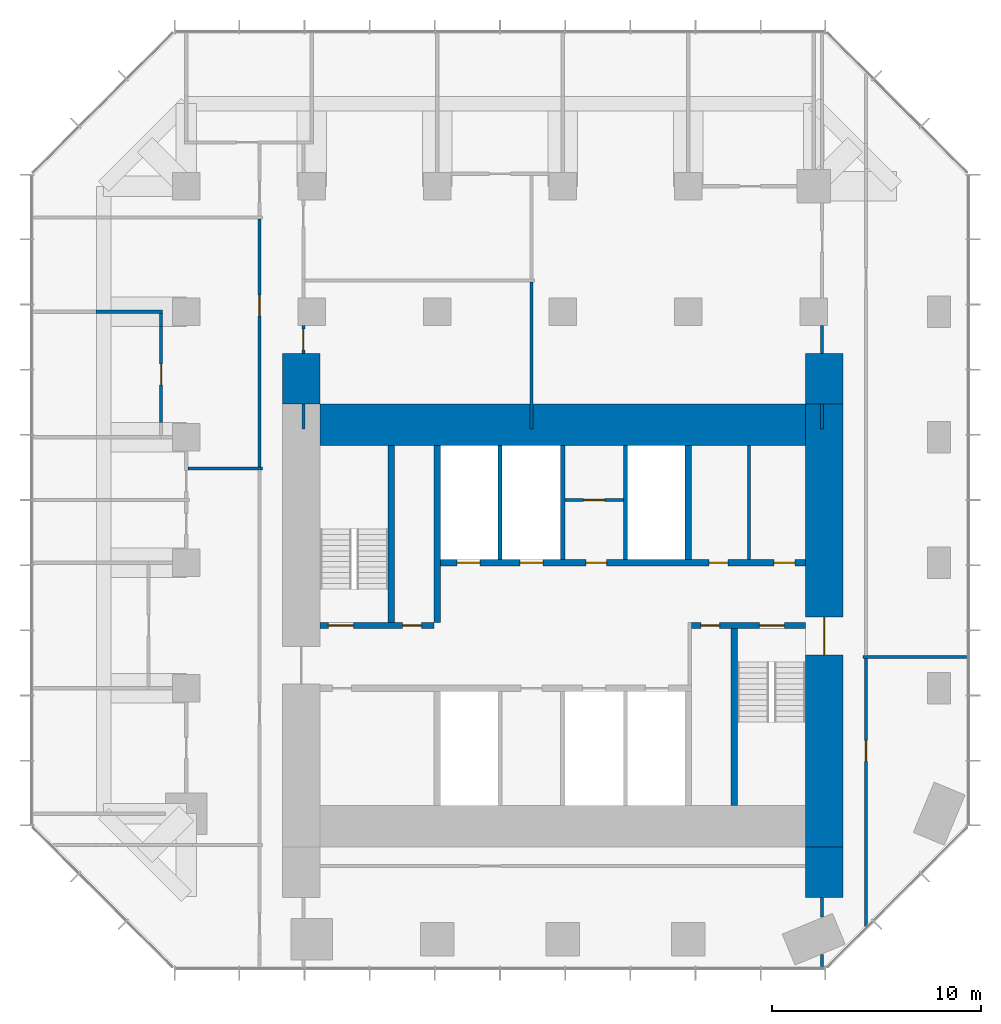
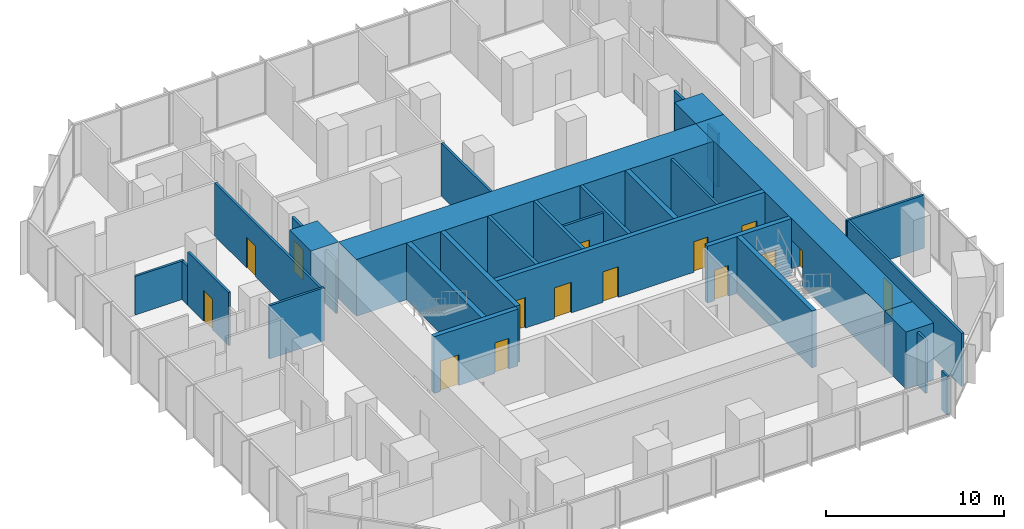
# One storey, part 9 of 11: 31 walls, 15 doors, 15 openings.
"""IFC4 building model written with IfcOpenShell, lengths in metres."""

import ifcopenshell
import ifcopenshell.guid

model = None  # the IFC model being written
_history = None  # IfcOwnerHistory: only IFC2X3 demands one
_inside = {}  # id of a spatial element -> (the spatial element, [elements in it])
_under = {}  # id of a project, library or spatial element -> (it, [spatial elements below it])
_declared = {}  # id of a project -> (the project, [libraries it declares])
_typed = {}  # id of a type object -> (the type object, [elements of that type])
_made_of = {}  # id of a material, layer set ... -> (it, [elements and type objects made of it])


def new_model(schema):
    """Start an empty IFC model of exactly this schema.

    Asked for "IFC4X3", IfcOpenShell would pick the latest addendum, in which some entities
    have other attributes; the version numbers below select the first issue.
    IFC2X3 requires an IfcOwnerHistory on every rooted entity: one is made here for all.
    """
    global model, _history
    if schema == "IFC4X3":
        model = ifcopenshell.file(schema_version=(4, 3, 0, 0))
    else:
        model = ifcopenshell.file(schema=schema)
    _inside.clear()
    _under.clear()
    _declared.clear()
    _typed.clear()
    _made_of.clear()
    _history = None
    if model.schema == "IFC2X3":
        org = make("IfcOrganization", Name="unknown")
        user = make(
            "IfcPersonAndOrganization",
            ThePerson=make("IfcPerson", FamilyName="unknown"),
            TheOrganization=org,
        )
        app = make(
            "IfcApplication",
            ApplicationDeveloper=org,
            Version="unknown",
            ApplicationFullName="unknown",
            ApplicationIdentifier="unknown",
        )
        _history = make(
            "IfcOwnerHistory",
            OwningUser=user,
            OwningApplication=app,
            ChangeAction="ADDED",
            CreationDate=0,
        )
    return model


def make(cls, **values):
    """One entity of the class cls with the attributes given. An attribute that is None is left unset."""
    return model.create_entity(
        cls, **{name: value for name, value in values.items() if value is not None}
    )


def rooted(cls, **values):
    """An entity with a GlobalId (a new one), such as an element, a storey or a relation."""
    return make(cls, GlobalId=ifcopenshell.guid.new(), OwnerHistory=_history, **values)


def si_unit(unit_type, name, prefix=None):
    """IfcSIUnit, for example si_unit("LENGTHUNIT", "METRE", prefix="MILLI")."""
    return make("IfcSIUnit", UnitType=unit_type, Prefix=prefix, Name=name)


def assignment(units):
    """IfcUnitAssignment: the units of a project."""
    return None if units is None else make("IfcUnitAssignment", Units=units)


def point(xyz):
    """IfcCartesianPoint."""
    return None if xyz is None else make("IfcCartesianPoint", Coordinates=xyz)


def direction(xyz):
    """IfcDirection."""
    return None if xyz is None else make("IfcDirection", DirectionRatios=xyz)


def frame(location, z_axis=None, x_axis=None):
    """IfcAxis2Placement3D, a coordinate frame: its origin and axes. An axis left out is left unset."""
    return make(
        "IfcAxis2Placement3D",
        Location=point(location),
        Axis=direction(z_axis),
        RefDirection=direction(x_axis),
    )


def frame_2d(location, x_axis=None):
    """IfcAxis2Placement2D, a coordinate frame in the plane: its origin and x axis."""
    return make(
        "IfcAxis2Placement2D", Location=point(location), RefDirection=direction(x_axis)
    )


def origin():
    """The frame at (0, 0, 0) with its axes left unset."""
    return frame((0.0, 0.0, 0.0))


def place(relative_to, where):
    """IfcLocalPlacement: puts the frame where relative to a parent placement (None: the world)."""
    return make(
        "IfcLocalPlacement", PlacementRelTo=relative_to, RelativePlacement=where
    )


def context(
    kind, dimensions, precision=None, world=None, true_north=None, identifier=None
):
    """IfcGeometricRepresentationContext, for example the 3D "Model" context."""
    return make(
        "IfcGeometricRepresentationContext",
        ContextIdentifier=identifier,
        ContextType=kind,
        CoordinateSpaceDimension=dimensions,
        Precision=precision,
        WorldCoordinateSystem=world,
        TrueNorth=true_north,
    )


def subcontext(parent, identifier, kind, view, scale=None):
    """IfcGeometricRepresentationSubContext, for example "Body" below "Model"."""
    return make(
        "IfcGeometricRepresentationSubContext",
        ContextIdentifier=identifier,
        ContextType=kind,
        ParentContext=parent,
        TargetScale=scale,
        TargetView=view,
    )


def project(units=None, contexts=None):
    """IfcProject with its units and contexts."""
    return rooted(
        "IfcProject",
        Name="project",
        RepresentationContexts=contexts,
        UnitsInContext=assignment(units),
    )


def spatial(cls, under=None, at=None, **own):
    """A site, building, storey or space (cls), placed at a placement, below another one or the project."""
    s = rooted(cls, ObjectPlacement=at, **own)
    if under is not None:
        _under.setdefault(under.id(), (under, []))[1].append(s)
    return s


def profile(cls, at=None, kind="AREA", **sizes):
    """A parametric profile (cls). Its sizes go by their IFC names, for example OverallWidth=200.0."""
    return make(cls, ProfileType=kind, Position=at, **sizes)


def rectangle(**sizes):
    """IfcRectangleProfileDef."""
    return profile("IfcRectangleProfileDef", **sizes)


def extrude(swept, where, along, depth):
    """IfcExtrudedAreaSolid: the profile swept, set in the frame where, extruded along a direction by depth."""
    return make(
        "IfcExtrudedAreaSolid",
        SweptArea=swept,
        Position=where,
        ExtrudedDirection=direction(along),
        Depth=depth,
    )


def shape(context_of_items, identifier, shape_type, items):
    """IfcShapeRepresentation: the items that make up one representation, for example the "Body"."""
    return make(
        "IfcShapeRepresentation",
        ContextOfItems=context_of_items,
        RepresentationIdentifier=identifier,
        RepresentationType=shape_type,
        Items=items,
    )


def material(Name=None, Category=None):
    """IfcMaterial."""
    return make("IfcMaterial", Name=Name, Category=Category)


def layer(
    of_material, thickness, ventilated=None, Name=None, Category=None, Priority=None
):
    """IfcMaterialLayer: one layer of a wall or slab, of a material (None: an air gap)."""
    return make(
        "IfcMaterialLayer",
        Material=of_material,
        LayerThickness=thickness,
        IsVentilated=ventilated,
        Name=Name,
        Category=Category,
        Priority=Priority,
    )


def layer_set(layers, Name=None):
    """IfcMaterialLayerSet."""
    return make("IfcMaterialLayerSet", MaterialLayers=layers, LayerSetName=Name)


def made_of(thing, what):
    """Note that an element or type object is made of a material, layer set ...; save() writes the relation."""
    if what is not None:
        _made_of.setdefault(what.id(), (what, []))[1].append(thing)
    return thing


def type_object(cls, material=None, **own):
    """A type object (cls), such as IfcWallType, which elements share."""
    return made_of(rooted(cls, **own), material)


def element(
    cls,
    number,
    at=None,
    inside=None,
    cuts=None,
    type_object=None,
    material=None,
    context=None,
    identifier="Body",
    shape_type=None,
    held_by="IfcProductDefinitionShape",
    body=None,
    shapes=None,
    **own,
):
    """One element of the class cls, such as IfcWall. Its Tag is "e" and its number.

    at: its placement. inside: the storey or other place that contains it. cuts: it is an
    opening in that element (IfcRelVoidsElement). A single representation is given by context,
    identifier, shape_type and body (its items); several are given by shapes. held_by: the class
    of the entity that holds the representations. save() writes the other relations.
    """
    e = rooted(cls, Tag="e%d" % number, ObjectPlacement=at, **own)
    if body is not None:
        shapes = [shape(context, identifier, shape_type, body)]
    if shapes is not None:
        e.Representation = make(held_by, Representations=shapes)
    if inside is not None:
        _inside.setdefault(inside.id(), (inside, []))[1].append(e)
    if cuts is not None:
        rooted(
            "IfcRelVoidsElement", RelatingBuildingElement=cuts, RelatedOpeningElement=e
        )
    if type_object is not None:
        _typed.setdefault(type_object.id(), (type_object, []))[1].append(e)
    return made_of(e, material)


def fill(opening, filler):
    """IfcRelFillsElement: the door or window that sits in an opening."""
    return rooted(
        "IfcRelFillsElement",
        RelatingOpeningElement=opening,
        RelatedBuildingElement=filler,
    )


def aggregate(whole, parts):
    """IfcRelAggregates: a whole, such as a stair, and the parts it consists of."""
    return rooted("IfcRelAggregates", RelatingObject=whole, RelatedObjects=parts)


def save(model, path):
    """Write the relations noted so far, then the file.

    IfcRelAggregates (storeys below a building ...), IfcRelContainedInSpatialStructure (elements
    in a storey), IfcRelDefinesByType, IfcRelAssociatesMaterial and IfcRelDeclares: one each for
    every whole, place, type object, material and project.
    """
    for whole, parts in _under.values():
        aggregate(whole, parts)
    for where, things in _inside.values():
        rooted(
            "IfcRelContainedInSpatialStructure",
            RelatedElements=things,
            RelatingStructure=where,
        )
    for kind, things in _typed.values():
        rooted("IfcRelDefinesByType", RelatedObjects=things, RelatingType=kind)
    for what, things in _made_of.values():
        rooted("IfcRelAssociatesMaterial", RelatedObjects=things, RelatingMaterial=what)
    for by, libraries in _declared.values():
        rooted("IfcRelDeclares", RelatingContext=by, RelatedDefinitions=libraries)
    model.write(path)


model = new_model("IFC4")

# Units and contexts
model_context = context("Model", 3, precision=1e-05, world=origin(), true_north=direction((0.0, 1.0)))
body_context = subcontext(model_context, "Body", "Model", "MODEL_VIEW")
ifc_project = project(units=[si_unit("LENGTHUNIT", "METRE"), si_unit("AREAUNIT", "SQUARE_METRE"), si_unit("VOLUMEUNIT", "CUBIC_METRE"), si_unit("PLANEANGLEUNIT", "RADIAN"), si_unit("MASSUNIT", "GRAM", prefix="KILO")], contexts=[model_context])

# Site, building, storey
site_placement = place(None, origin())
site = spatial("IfcSite", under=ifc_project, at=site_placement, CompositionType="ELEMENT")
building_placement = place(site_placement, origin())
building = spatial("IfcBuilding", under=site, at=building_placement, Name="Highveld Stack Headquarters", CompositionType="ELEMENT")
storey_placement = place(building_placement, frame((0.0, 0.0, 208.39990234375)))
storey = spatial("IfcBuildingStorey", under=building, at=storey_placement, Name="L51", CompositionType="ELEMENT", Elevation=208.39990234375)

# Wall, opening, door
ifc_material_1 = material(Name="Concrete C60/75", Category="concrete")
ifc_layer_1 = layer(ifc_material_1, 1.800048828125)
ifc_layer_set_1 = layer_set([ifc_layer_1], Name="Concrete C60/75")
wall_type_1 = type_object("IfcWallType", Name="CORE WALL 1800 C60/75", PredefinedType="SHEAR", material=ifc_layer_set_1)
wall_1_placement = place(storey_placement, frame((18.5, -7.60009765625, 0.0), z_axis=(0.0, 0.0, 1.0), x_axis=(0.0, 1.0, 0.0)))
wall_1 = element("IfcWall", 1, at=wall_1_placement, inside=storey, type_object=wall_type_1, Name="Core wall E L51", PredefinedType="SHEAR", context=body_context, shape_type="SweptSolid", body=[
    extrude(rectangle(XDim=21.2001953125, YDim=1.800048828125, at=frame_2d((10.60009765625, 0.0))), origin(), (0.0, 0.0, 1.0), 3.900146484375),
])
opening_1_placement = place(wall_1_placement, frame((9.199951171875, 0.0, 0.0)))
opening_1 = element("IfcOpeningElement", 2, at=opening_1_placement, cuts=wall_1, Name="Opening L51-02", PredefinedType="OPENING", context=body_context, shape_type="SweptSolid", body=[
    extrude(rectangle(XDim=1.800048828125, YDim=2.39990234375, at=frame_2d((0.89990234375, 1.199951171875))), frame((0.0, 0.909912109375, 0.0), z_axis=(0.0, -1.0, 0.0), x_axis=(1.0, 0.0, 0.0)), (0.0, 0.0, 1.0), 1.820068359375),
])
ifc_material_2 = material(Name="Steel fire door", Category="steel")
door_type_1 = type_object("IfcDoorType", Name="LOBBY FIRE DOOR D4 1800x2400", OperationType="DOUBLE_DOOR_SINGLE_SWING", PredefinedType="DOOR", material=ifc_material_2)
door_1_placement = place(opening_1_placement, origin())
door_1 = element("IfcDoor", 3, at=door_1_placement, inside=storey, type_object=door_type_1, Name="Core east door L51", OperationType="DOUBLE_DOOR_SINGLE_SWING", OverallHeight=2.39990234375, OverallWidth=1.800048828125, PredefinedType="DOOR", context=body_context, shape_type="SweptSolid", body=[
    extrude(rectangle(XDim=1.800048828125, YDim=2.39990234375, at=frame_2d((0.89990234375, 1.199951171875))), frame((0.0, 0.02490234375, 0.0), z_axis=(0.0, -1.0, 0.0), x_axis=(1.0, 0.0, 0.0)), (0.0, 0.0, 1.0), 0.050048828125),
])
fill(opening_1, door_1)

# Wall
ifc_material_3 = material(Name="Concrete C60/75", Category="concrete")
ifc_layer_2 = layer(ifc_material_3, 2.0)
ifc_layer_set_2 = layer_set([ifc_layer_2], Name="Concrete C60/75")
wall_type_2 = type_object("IfcWallType", Name="CORE WALL 2000 C60/75", PredefinedType="SHEAR", material=ifc_layer_set_2)
wall_2_placement = place(storey_placement, frame((-5.60009765625, 12.60009765625, 0.0), z_axis=(0.0, 0.0, 1.0), x_axis=(1.0, 0.0, 0.0)))
element("IfcWall", 4, at=wall_2_placement, inside=storey, type_object=wall_type_2, Name="Core wall N L51", PredefinedType="SHEAR", context=body_context, shape_type="SweptSolid", body=[
    extrude(rectangle(XDim=23.2001953125, YDim=2.0, at=frame_2d((11.60009765625, 0.0))), origin(), (0.0, 0.0, 1.0), 3.900146484375),
])

# Wall, openings, doors
ifc_material_4 = material(Name="Concrete C60/75", Category="concrete")
ifc_layer_3 = layer(ifc_material_4, 0.300048828125)
ifc_layer_set_3 = layer_set([ifc_layer_3], Name="Concrete C60/75")
wall_type_3 = type_object("IfcWallType", Name="CORE WALL 300 C60/75", PredefinedType="SHEAR", material=ifc_layer_set_3)
wall_3_placement = place(storey_placement, frame((-5.60009765625, 3.0, 0.0), z_axis=(0.0, 0.0, 1.0), x_axis=(1.0, 0.0, 0.0)))
wall_3 = element("IfcWall", 5, at=wall_3_placement, inside=storey, type_object=wall_type_3, Name="Core wall I-Y3W L51", PredefinedType="SHEAR", context=body_context, shape_type="SweptSolid", body=[
    extrude(rectangle(XDim=5.4501953125, YDim=0.300048828125, at=frame_2d((2.72509765625, 0.0))), origin(), (0.0, 0.0, 1.0), 3.900146484375),
])
opening_2_placement = place(wall_3_placement, frame((0.39990234375, 0.0, 0.0)))
opening_2 = element("IfcOpeningElement", 6, at=opening_2_placement, cuts=wall_3, Name="Opening L51-03", PredefinedType="OPENING", context=body_context, shape_type="SweptSolid", body=[
    extrude(rectangle(XDim=1.199951171875, YDim=2.10009765625, at=frame_2d((0.60009765625, 1.050048828125))), frame((0.0, 0.159912109375, 0.0), z_axis=(0.0, -1.0, 0.0), x_axis=(1.0, 0.0, 0.0)), (0.0, 0.0, 1.0), 0.320068359375),
])
opening_3_placement = place(wall_3_placement, frame((3.949951171875, 0.0, 0.0)))
opening_3 = element("IfcOpeningElement", 7, at=opening_3_placement, cuts=wall_3, Name="Opening L51-04", PredefinedType="OPENING", context=body_context, shape_type="SweptSolid", body=[
    extrude(rectangle(XDim=0.89990234375, YDim=2.10009765625, at=frame_2d((0.449951171875, 1.050048828125))), frame((0.0, 0.159912109375, 0.0), z_axis=(0.0, -1.0, 0.0), x_axis=(1.0, 0.0, 0.0)), (0.0, 0.0, 1.0), 0.320068359375),
])
ifc_material_5 = material(Name="Steel fire door", Category="steel")
door_type_2 = type_object("IfcDoorType", Name="RISER ACCESS DOOR D5 900x2100", OperationType="SINGLE_SWING_LEFT", PredefinedType="DOOR", material=ifc_material_5)
door_2_placement = place(opening_3_placement, origin())
door_2 = element("IfcDoor", 8, at=door_2_placement, inside=storey, type_object=door_type_2, Name="Riser R1 door L51", OperationType="SINGLE_SWING_RIGHT", OverallHeight=2.10009765625, OverallWidth=0.89990234375, PredefinedType="DOOR", context=body_context, shape_type="SweptSolid", body=[
    extrude(rectangle(XDim=0.89990234375, YDim=2.10009765625, at=frame_2d((0.449951171875, 1.050048828125))), frame((0.0, 0.02490234375, 0.0), z_axis=(0.0, -1.0, 0.0), x_axis=(1.0, 0.0, 0.0)), (0.0, 0.0, 1.0), 0.050048828125),
])
fill(opening_3, door_2)
ifc_material_6 = material(Name="Steel fire door", Category="steel")
door_type_3 = type_object("IfcDoorType", Name="STAIR FIRE DOOR D3 1200x2100", OperationType="SINGLE_SWING_LEFT", PredefinedType="DOOR", material=ifc_material_6)
door_3_placement = place(opening_2_placement, origin())
door_3 = element("IfcDoor", 9, at=door_3_placement, inside=storey, type_object=door_type_3, Name="Stair S1 door L51", OperationType="SINGLE_SWING_LEFT", OverallHeight=2.10009765625, OverallWidth=1.199951171875, PredefinedType="DOOR", context=body_context, shape_type="SweptSolid", body=[
    extrude(rectangle(XDim=1.199951171875, YDim=2.10009765625, at=frame_2d((0.60009765625, 1.050048828125))), frame((0.0, 0.02490234375, 0.0), z_axis=(0.0, -1.0, 0.0), x_axis=(1.0, 0.0, 0.0)), (0.0, 0.0, 1.0), 0.050048828125),
])
fill(opening_2, door_3)

wall_4_placement = place(storey_placement, frame((12.14990234375, 3.0, 0.0), z_axis=(0.0, 0.0, 1.0), x_axis=(1.0, 0.0, 0.0)))
wall_4 = element("IfcWall", 10, at=wall_4_placement, inside=storey, type_object=wall_type_3, Name="Core wall I-Y3E L51", PredefinedType="SHEAR", context=body_context, shape_type="SweptSolid", body=[
    extrude(rectangle(XDim=5.4501953125, YDim=0.300048828125, at=frame_2d((2.72509765625, 0.0))), origin(), (0.0, 0.0, 1.0), 3.900146484375),
])
opening_4_placement = place(wall_4_placement, frame((3.25, 0.0, 0.0)))
opening_4 = element("IfcOpeningElement", 11, at=opening_4_placement, cuts=wall_4, Name="Opening L51-05", PredefinedType="OPENING", context=body_context, shape_type="SweptSolid", body=[
    extrude(rectangle(XDim=1.199951171875, YDim=2.10009765625, at=frame_2d((0.60009765625, 1.050048828125))), frame((0.0, 0.159912109375, 0.0), z_axis=(0.0, -1.0, 0.0), x_axis=(1.0, 0.0, 0.0)), (0.0, 0.0, 1.0), 0.320068359375),
])
opening_5_placement = place(wall_4_placement, frame((0.449951171875, 0.0, 0.0)))
opening_5 = element("IfcOpeningElement", 12, at=opening_5_placement, cuts=wall_4, Name="Opening L51-06", PredefinedType="OPENING", context=body_context, shape_type="SweptSolid", body=[
    extrude(rectangle(XDim=0.89990234375, YDim=2.10009765625, at=frame_2d((0.449951171875, 1.050048828125))), frame((0.0, 0.159912109375, 0.0), z_axis=(0.0, -1.0, 0.0), x_axis=(1.0, 0.0, 0.0)), (0.0, 0.0, 1.0), 0.320068359375),
])
door_4_placement = place(opening_5_placement, origin())
door_4 = element("IfcDoor", 13, at=door_4_placement, inside=storey, type_object=door_type_2, Name="Riser R2 door L51", OperationType="SINGLE_SWING_LEFT", OverallHeight=2.10009765625, OverallWidth=0.89990234375, PredefinedType="DOOR", context=body_context, shape_type="SweptSolid", body=[
    extrude(rectangle(XDim=0.89990234375, YDim=2.10009765625, at=frame_2d((0.449951171875, 1.050048828125))), frame((0.0, 0.02490234375, 0.0), z_axis=(0.0, -1.0, 0.0), x_axis=(1.0, 0.0, 0.0)), (0.0, 0.0, 1.0), 0.050048828125),
])
fill(opening_5, door_4)
door_5_placement = place(opening_4_placement, origin())
door_5 = element("IfcDoor", 14, at=door_5_placement, inside=storey, type_object=door_type_3, Name="Stair S2 door L51", OperationType="SINGLE_SWING_RIGHT", OverallHeight=2.10009765625, OverallWidth=1.199951171875, PredefinedType="DOOR", context=body_context, shape_type="SweptSolid", body=[
    extrude(rectangle(XDim=1.199951171875, YDim=2.10009765625, at=frame_2d((0.60009765625, 1.050048828125))), frame((0.0, 0.02490234375, 0.0), z_axis=(0.0, -1.0, 0.0), x_axis=(1.0, 0.0, 0.0)), (0.0, 0.0, 1.0), 0.050048828125),
])
fill(opening_4, door_5)

wall_5_placement = place(storey_placement, frame((-0.14990234375, 6.0, 0.0), z_axis=(0.0, 0.0, 1.0), x_axis=(1.0, 0.0, 0.0)))
wall_5 = element("IfcWall", 15, at=wall_5_placement, inside=storey, type_object=wall_type_3, Name="Core wall I-Y6 L51", PredefinedType="SHEAR", context=body_context, shape_type="SweptSolid", body=[
    extrude(rectangle(XDim=17.75, YDim=0.300048828125, at=frame_2d((8.875, 0.0))), origin(), (0.0, 0.0, 1.0), 3.900146484375),
])
opening_6_placement = place(wall_5_placement, frame((13.14990234375, 0.0, 0.0)))
opening_6 = element("IfcOpeningElement", 16, at=opening_6_placement, cuts=wall_5, Name="Opening L51-08", PredefinedType="OPENING", context=body_context, shape_type="SweptSolid", body=[
    extrude(rectangle(XDim=0.89990234375, YDim=2.10009765625, at=frame_2d((0.449951171875, 1.050048828125))), frame((0.0, 0.159912109375, 0.0), z_axis=(0.0, -1.0, 0.0), x_axis=(1.0, 0.0, 0.0)), (0.0, 0.0, 1.0), 0.320068359375),
])
opening_7_placement = place(wall_5_placement, frame((16.25, 0.0, 0.0)))
opening_7 = element("IfcOpeningElement", 17, at=opening_7_placement, cuts=wall_5, Name="Opening L51-09", PredefinedType="OPENING", context=body_context, shape_type="SweptSolid", body=[
    extrude(rectangle(XDim=1.0, YDim=2.10009765625, at=frame_2d((0.5, 1.050048828125))), frame((0.0, 0.159912109375, 0.0), z_axis=(0.0, -1.0, 0.0), x_axis=(1.0, 0.0, 0.0)), (0.0, 0.0, 1.0), 0.320068359375),
])
opening_8_placement = place(wall_5_placement, frame((7.25, 0.0, 0.0)))
opening_8 = element("IfcOpeningElement", 18, at=opening_8_placement, cuts=wall_5, Name="Opening L51-11", PredefinedType="OPENING", context=body_context, shape_type="SweptSolid", body=[
    extrude(rectangle(XDim=1.0, YDim=2.10009765625, at=frame_2d((0.5, 1.050048828125))), frame((0.0, 0.159912109375, 0.0), z_axis=(0.0, -1.0, 0.0), x_axis=(1.0, 0.0, 0.0)), (0.0, 0.0, 1.0), 0.320068359375),
])
opening_9_placement = place(wall_5_placement, frame((1.10009765625, 0.0, 0.0)))
opening_9 = element("IfcOpeningElement", 19, at=opening_9_placement, cuts=wall_5, Name="Opening LD", PredefinedType="OPENING", context=body_context, shape_type="SweptSolid", body=[
    extrude(rectangle(XDim=1.10009765625, YDim=2.10009765625, at=frame_2d((0.550048828125, 1.050048828125))), frame((0.0, 0.159912109375, 0.0), z_axis=(0.0, -1.0, 0.0), x_axis=(1.0, 0.0, 0.0)), (0.0, 0.0, 1.0), 0.320068359375),
])
opening_10_placement = place(wall_5_placement, frame((4.10009765625, 0.0, 0.0)))
opening_10 = element("IfcOpeningElement", 20, at=opening_10_placement, cuts=wall_5, Name="Opening LD", PredefinedType="OPENING", context=body_context, shape_type="SweptSolid", body=[
    extrude(rectangle(XDim=1.10009765625, YDim=2.10009765625, at=frame_2d((0.550048828125, 1.050048828125))), frame((0.0, 0.159912109375, 0.0), z_axis=(0.0, -1.0, 0.0), x_axis=(1.0, 0.0, 0.0)), (0.0, 0.0, 1.0), 0.320068359375),
])
ifc_material_7 = material(Name="Timber door, painted", Category="wood")
door_type_4 = type_object("IfcDoorType", Name="ACCESSIBLE WC DOOR D2 1000x2100", OperationType="SINGLE_SWING_RIGHT", PredefinedType="DOOR", material=ifc_material_7)
door_6_placement = place(opening_7_placement, origin())
door_6 = element("IfcDoor", 21, at=door_6_placement, inside=storey, type_object=door_type_4, Name="Accessible WC door L51", OperationType="SINGLE_SWING_RIGHT", OverallHeight=2.10009765625, OverallWidth=1.0, PredefinedType="DOOR", context=body_context, shape_type="SweptSolid", body=[
    extrude(rectangle(XDim=1.0, YDim=2.10009765625, at=frame_2d((0.5, 1.050048828125))), frame((0.0, 0.02490234375, 0.0), z_axis=(0.0, -1.0, 0.0), x_axis=(1.0, 0.0, 0.0)), (0.0, 0.0, 1.0), 0.050048828125),
])
fill(opening_7, door_6)
ifc_material_8 = material(Name="Steel fire door", Category="steel")
door_type_5 = type_object("IfcDoorType", Name="CORE ROOM FIRE DOOR D14 1000x2100", OperationType="SINGLE_SWING_LEFT", PredefinedType="DOOR", material=ifc_material_8)
door_7_placement = place(opening_8_placement, origin())
door_7 = element("IfcDoor", 22, at=door_7_placement, inside=storey, type_object=door_type_5, Name="Capped A 1 door L51", OperationType="SINGLE_SWING_LEFT", OverallHeight=2.10009765625, OverallWidth=1.0, PredefinedType="DOOR", context=body_context, shape_type="SweptSolid", body=[
    extrude(rectangle(XDim=1.0, YDim=2.10009765625, at=frame_2d((0.5, 1.050048828125))), frame((0.0, 0.02490234375, 0.0), z_axis=(0.0, -1.0, 0.0), x_axis=(1.0, 0.0, 0.0)), (0.0, 0.0, 1.0), 0.050048828125),
])
fill(opening_8, door_7)
ifc_material_9 = material(Name="Stainless steel lift landing door", Category="steel")
door_type_6 = type_object("IfcDoorType", Name="LIFT LANDING DOOR LD 1100x2100", OperationType="DOUBLE_DOOR_SLIDING", PredefinedType="USERDEFINED", material=ifc_material_9)
door_8_placement = place(opening_9_placement, origin())
door_8 = element("IfcDoor", 23, at=door_8_placement, inside=storey, type_object=door_type_6, Name="Lift landing door FF1 L51", ObjectType="LIFT LANDING DOOR", OperationType="DOUBLE_DOOR_SLIDING", OverallHeight=2.10009765625, OverallWidth=1.10009765625, PredefinedType="USERDEFINED", context=body_context, shape_type="SweptSolid", body=[
    extrude(rectangle(XDim=1.10009765625, YDim=2.10009765625, at=frame_2d((0.550048828125, 1.050048828125))), frame((0.0, 0.02490234375, 0.0), z_axis=(0.0, -1.0, 0.0), x_axis=(1.0, 0.0, 0.0)), (0.0, 0.0, 1.0), 0.050048828125),
])
fill(opening_9, door_8)
door_9_placement = place(opening_10_placement, origin())
door_9 = element("IfcDoor", 24, at=door_9_placement, inside=storey, type_object=door_type_6, Name="Lift landing door FF2 L51", ObjectType="LIFT LANDING DOOR", OperationType="DOUBLE_DOOR_SLIDING", OverallHeight=2.10009765625, OverallWidth=1.10009765625, PredefinedType="USERDEFINED", context=body_context, shape_type="SweptSolid", body=[
    extrude(rectangle(XDim=1.10009765625, YDim=2.10009765625, at=frame_2d((0.550048828125, 1.050048828125))), frame((0.0, 0.02490234375, 0.0), z_axis=(0.0, -1.0, 0.0), x_axis=(1.0, 0.0, 0.0)), (0.0, 0.0, 1.0), 0.050048828125),
])
fill(opening_10, door_9)
ifc_material_10 = material(Name="Timber door, painted", Category="wood")
door_type_7 = type_object("IfcDoorType", Name="WC DOOR D1 900x2100", OperationType="SINGLE_SWING_LEFT", PredefinedType="DOOR", material=ifc_material_10)
door_10_placement = place(opening_6_placement, origin())
door_10 = element("IfcDoor", 25, at=door_10_placement, inside=storey, type_object=door_type_7, Name="Male WC door L51", OperationType="SINGLE_SWING_RIGHT", OverallHeight=2.10009765625, OverallWidth=0.89990234375, PredefinedType="DOOR", context=body_context, shape_type="SweptSolid", body=[
    extrude(rectangle(XDim=0.89990234375, YDim=2.10009765625, at=frame_2d((0.449951171875, 1.050048828125))), frame((0.0, 0.02490234375, 0.0), z_axis=(0.0, -1.0, 0.0), x_axis=(1.0, 0.0, 0.0)), (0.0, 0.0, 1.0), 0.050048828125),
])
fill(opening_6, door_10)

# Walls
wall_6_placement = place(storey_placement, frame((0.0, 3.14990234375, 0.0), z_axis=(0.0, 0.0, 1.0), x_axis=(0.0, 1.0, 0.0)))
element("IfcWall", 26, at=wall_6_placement, inside=storey, type_object=wall_type_3, Name="Core wall I-X0N L51", PredefinedType="SHEAR", context=body_context, shape_type="SweptSolid", body=[
    extrude(rectangle(XDim=8.4501953125, YDim=0.300048828125, at=frame_2d((4.22509765625, 0.0))), origin(), (0.0, 0.0, 1.0), 3.900146484375),
])
wall_7_placement = place(storey_placement, frame((12.0, 6.14990234375, 0.0), z_axis=(0.0, 0.0, 1.0), x_axis=(0.0, 1.0, 0.0)))
element("IfcWall", 27, at=wall_7_placement, inside=storey, type_object=wall_type_3, Name="Core wall I-X12N L51", PredefinedType="SHEAR", context=body_context, shape_type="SweptSolid", body=[
    extrude(rectangle(XDim=5.4501953125, YDim=0.300048828125, at=frame_2d((2.72509765625, 0.0))), origin(), (0.0, 0.0, 1.0), 3.900146484375),
])
for number, where, z_axis, x_axis, name in (
    (28, (-2.199951171875, 3.14990234375, 0.0), (0.0, 0.0, 1.0), (0.0, 1.0, 0.0), "Core wall I-RW L51"),
    (29, (14.199951171875, -5.60009765625, 0.0), (0.0, 0.0, 1.0), (0.0, 1.0, 0.0), "Core wall I-RE L51"),
):
    element("IfcWall", number, at=place(storey_placement, frame(where, z_axis=z_axis, x_axis=x_axis)), inside=storey, type_object=wall_type_3, Name=name, PredefinedType="SHEAR", context=body_context, shape_type="SweptSolid", body=[
        extrude(rectangle(XDim=8.4501953125, YDim=0.300048828125, at=frame_2d((4.22509765625, 0.0))), origin(), (0.0, 0.0, 1.0), 3.900146484375),
    ])
ifc_material_11 = material(Name="Concrete C60/75", Category="concrete")
ifc_layer_4 = layer(ifc_material_11, 1.800048828125)
ifc_layer_set_4 = layer_set([ifc_layer_4], Name="Concrete C60/75")
wall_type_4 = type_object("IfcWallType", Name="CORE WING WALL 1800 C60/75", PredefinedType="SHEAR", material=ifc_layer_set_4)
for number, where, z_axis, x_axis, name in (
    (30, (-6.5, 13.60009765625, 0.0), (0.0, 0.0, 1.0), (0.0, 1.0, 0.0), "Core wing wall WN L51"),
    (31, (18.5, -10.0, 0.0), (0.0, 0.0, 1.0), (0.0, 1.0, 0.0), "Core wing wall ES L51"),
    (32, (18.5, 13.60009765625, 0.0), (0.0, 0.0, 1.0), (0.0, 1.0, 0.0), "Core wing wall EN L51"),
):
    element("IfcWall", number, at=place(storey_placement, frame(where, z_axis=z_axis, x_axis=x_axis)), inside=storey, type_object=wall_type_4, Name=name, PredefinedType="SHEAR", context=body_context, shape_type="SweptSolid", body=[
        extrude(rectangle(XDim=2.39990234375, YDim=1.800048828125, at=frame_2d((1.199951171875, 0.0))), origin(), (0.0, 0.0, 1.0), 3.900146484375),
    ])

# Wall, opening, door
ifc_material_12 = material(Name="Concrete blockwork, plastered", Category="masonry")
ifc_layer_5 = layer(ifc_material_12, 0.14990234375)
ifc_layer_set_5 = layer_set([ifc_layer_5], Name="Concrete blockwork, plastered")
wall_type_5 = type_object("IfcWallType", Name="FIRE PARTITION 150 BLOCKWORK", PredefinedType="PARTITIONING", material=ifc_layer_set_5)
wall_8_placement = place(storey_placement, frame((6.10009765625, 9.0, 0.0), z_axis=(0.0, 0.0, 1.0), x_axis=(1.0, 0.0, 0.0)))
wall_8 = element("IfcWall", 33, at=wall_8_placement, inside=storey, type_object=wall_type_5, Name="Core room partition L51", PredefinedType="PARTITIONING", context=body_context, shape_type="SweptSolid", body=[
    extrude(rectangle(XDim=2.7998046875, YDim=0.14990234375, at=frame_2d((1.39990234375, 0.0))), origin(), (0.0, 0.0, 1.0), 3.650146484375),
])
opening_11_placement = place(wall_8_placement, frame((0.89990234375, 0.0, 0.0)))
opening_11 = element("IfcOpeningElement", 34, at=opening_11_placement, cuts=wall_8, Name="Opening L51-10", PredefinedType="OPENING", context=body_context, shape_type="SweptSolid", body=[
    extrude(rectangle(XDim=1.0, YDim=2.10009765625, at=frame_2d((0.5, 1.050048828125))), frame((0.0, 0.0849609375, 0.0), z_axis=(0.0, -1.0, 0.0), x_axis=(1.0, 0.0, 0.0)), (0.0, 0.0, 1.0), 0.169921875),
])
door_11_placement = place(opening_11_placement, origin())
door_11 = element("IfcDoor", 35, at=door_11_placement, inside=storey, type_object=door_type_5, Name="Capped A 2 door L51", OperationType="SINGLE_SWING_RIGHT", OverallHeight=2.10009765625, OverallWidth=1.0, PredefinedType="DOOR", context=body_context, shape_type="SweptSolid", body=[
    extrude(rectangle(XDim=1.0, YDim=2.10009765625, at=frame_2d((0.5, 1.050048828125))), frame((0.0, 0.02490234375, 0.0), z_axis=(0.0, -1.0, 0.0), x_axis=(1.0, 0.0, 0.0)), (0.0, 0.0, 1.0), 0.050048828125),
])
fill(opening_11, door_11)

# Walls
ifc_material_13 = material(Name="Concrete blockwork, fair-faced", Category="masonry")
ifc_layer_6 = layer(ifc_material_13, 0.199951171875)
ifc_layer_set_6 = layer_set([ifc_layer_6], Name="Concrete blockwork, fair-faced")
wall_type_6 = type_object("IfcWallType", Name="LIFT SHAFT ENCLOSURE WALL 200 BLOCKWORK", PredefinedType="SOLIDWALL", material=ifc_layer_set_6)
for number, where, z_axis, x_axis, name in (
    (36, (3.0, 6.14990234375, 0.0), (0.0, 0.0, 1.0), (0.0, 1.0, 0.0), "Lift shaft wall L51"),
    (37, (6.0, 6.14990234375, 0.0), (0.0, 0.0, 1.0), (0.0, 1.0, 0.0), "Lift shaft wall L51"),
    (38, (9.0, 6.14990234375, 0.0), (0.0, 0.0, 1.0), (0.0, 1.0, 0.0), "Lift shaft wall L51"),
):
    element("IfcWall", number, at=place(storey_placement, frame(where, z_axis=z_axis, x_axis=x_axis)), inside=storey, type_object=wall_type_6, Name=name, PredefinedType="SOLIDWALL", context=body_context, shape_type="SweptSolid", body=[
        extrude(rectangle(XDim=5.4501953125, YDim=0.199951171875, at=frame_2d((2.72509765625, 0.0))), origin(), (0.0, 0.0, 1.0), 3.900146484375),
    ])
ifc_material_14 = material(Name="Gypsum plasterboard on steel studs", Category="steel")
ifc_layer_7 = layer(ifc_material_14, 0.14990234375)
ifc_layer_set_7 = layer_set([ifc_layer_7], Name="Gypsum plasterboard on steel studs")
wall_type_7 = type_object("IfcWallType", Name="PARTITION 150 PLASTERBOARD", PredefinedType="PARTITIONING", material=ifc_layer_set_7)
wall_9_placement = place(storey_placement, frame((-16.31005859375, 18.0, 0.0), z_axis=(0.0, 0.0, 1.0), x_axis=(1.0, 0.0, 0.0)))
element("IfcWall", 39, at=wall_9_placement, inside=storey, type_object=wall_type_7, Name="Partition Tea kitchen L51", PredefinedType="PARTITIONING", context=body_context, shape_type="SweptSolid", body=[
    extrude(rectangle(XDim=3.18505859375, YDim=0.14990234375, at=frame_2d((1.592529296875, 0.0))), origin(), (0.0, 0.0, 1.0), 2.650146484375),
])

# Wall, opening, door
wall_10_placement = place(storey_placement, frame((-13.199951171875, 12.7099609375, 0.0), z_axis=(0.0, 0.0, 1.0), x_axis=(0.0, 1.0, 0.0)))
wall_10 = element("IfcWall", 40, at=wall_10_placement, inside=storey, type_object=wall_type_7, Name="Partition Tea kitchen L51", PredefinedType="PARTITIONING", context=body_context, shape_type="SweptSolid", body=[
    extrude(rectangle(XDim=4.580078125, YDim=0.14990234375, at=frame_2d((2.2900390625, 0.0))), origin(), (0.0, 0.0, 1.0), 3.650146484375),
])
opening_12_placement = place(wall_10_placement, frame((1.7900390625, 0.0, 0.0)))
opening_12 = element("IfcOpeningElement", 41, at=opening_12_placement, cuts=wall_10, Name="Opening L51-17", PredefinedType="OPENING", context=body_context, shape_type="SweptSolid", body=[
    extrude(rectangle(XDim=1.0, YDim=2.10009765625, at=frame_2d((0.5, 1.050048828125))), frame((0.0, 0.0849609375, 0.0), z_axis=(0.0, -1.0, 0.0), x_axis=(1.0, 0.0, 0.0)), (0.0, 0.0, 1.0), 0.169921875),
])
ifc_material_15 = material(Name="Timber door, oiled ash", Category="wood")
door_type_8 = type_object("IfcDoorType", Name="ROOM DOOR D6 1000x2100", OperationType="SINGLE_SWING_LEFT", PredefinedType="DOOR", material=ifc_material_15)
door_12_placement = place(opening_12_placement, origin())
door_12 = element("IfcDoor", 42, at=door_12_placement, inside=storey, type_object=door_type_8, Name="Tea kitchen door 1 L51", OperationType="SINGLE_SWING_LEFT", OverallHeight=2.10009765625, OverallWidth=1.0, PredefinedType="DOOR", context=body_context, shape_type="SweptSolid", body=[
    extrude(rectangle(XDim=1.0, YDim=2.10009765625, at=frame_2d((0.5, 1.050048828125))), frame((0.0, 0.02490234375, 0.0), z_axis=(0.0, -1.0, 0.0), x_axis=(1.0, 0.0, 0.0)), (0.0, 0.0, 1.0), 0.050048828125),
])
fill(opening_12, door_12)

# Walls
wall_11_placement = place(storey_placement, frame((-13.199951171875, 17.2900390625, 0.0), z_axis=(0.0, 0.0, 1.0), x_axis=(0.0, 1.0, 0.0)))
element("IfcWall", 43, at=wall_11_placement, inside=storey, type_object=wall_type_7, Name="Partition Tea kitchen L51", PredefinedType="PARTITIONING", context=body_context, shape_type="SweptSolid", body=[
    extrude(rectangle(XDim=0.635009765625, YDim=0.14990234375, at=frame_2d((0.3173828125, 0.0))), origin(), (0.0, 0.0, 1.0), 2.650146484375),
])
wall_12_placement = place(storey_placement, frame((-11.925048828125, 10.5, 0.0), z_axis=(0.0, 0.0, 1.0), x_axis=(1.0, 0.0, 0.0)))
element("IfcWall", 44, at=wall_12_placement, inside=storey, type_object=wall_type_7, Name="Partition office neighbourhood L51", PredefinedType="PARTITIONING", context=body_context, shape_type="SweptSolid", body=[
    extrude(rectangle(XDim=3.574951171875, YDim=0.14990234375, at=frame_2d((1.78759765625, 0.0))), origin(), (0.0, 0.0, 1.0), 3.650146484375),
])

# Wall, opening, door
wall_13_placement = place(storey_placement, frame((-8.5, 10.574951171875, 0.0), z_axis=(0.0, 0.0, 1.0), x_axis=(0.0, 1.0, 0.0)))
wall_13 = element("IfcWall", 45, at=wall_13_placement, inside=storey, type_object=wall_type_7, Name="Partition office neighbourhood L51", PredefinedType="PARTITIONING", context=body_context, shape_type="SweptSolid", body=[
    extrude(rectangle(XDim=11.85009765625, YDim=0.14990234375, at=frame_2d((5.925048828125, 0.0))), origin(), (0.0, 0.0, 1.0), 3.650146484375),
])
opening_13_placement = place(wall_13_placement, frame((7.22509765625, 0.0, 0.0)))
opening_13 = element("IfcOpeningElement", 46, at=opening_13_placement, cuts=wall_13, Name="Opening L51-25", PredefinedType="OPENING", context=body_context, shape_type="SweptSolid", body=[
    extrude(rectangle(XDim=1.0, YDim=2.10009765625, at=frame_2d((0.5, 1.050048828125))), frame((0.0, 0.0849609375, 0.0), z_axis=(0.0, -1.0, 0.0), x_axis=(1.0, 0.0, 0.0)), (0.0, 0.0, 1.0), 0.169921875),
])
door_13_placement = place(opening_13_placement, origin())
door_13 = element("IfcDoor", 47, at=door_13_placement, inside=storey, type_object=door_type_8, Name="Office neighbourhood door L51", OperationType="SINGLE_SWING_RIGHT", OverallHeight=2.10009765625, OverallWidth=1.0, PredefinedType="DOOR", context=body_context, shape_type="SweptSolid", body=[
    extrude(rectangle(XDim=1.0, YDim=2.10009765625, at=frame_2d((0.5, 1.050048828125))), frame((0.0, 0.02490234375, 0.0), z_axis=(0.0, -1.0, 0.0), x_axis=(1.0, 0.0, 0.0)), (0.0, 0.0, 1.0), 0.050048828125),
])
fill(opening_13, door_13)

# Wall
wall_14_placement = place(storey_placement, frame((-6.39990234375, 12.39990234375, 0.0), z_axis=(0.0, 0.0, 1.0), x_axis=(0.0, 1.0, 0.0)))
element("IfcWall", 48, at=wall_14_placement, inside=storey, type_object=wall_type_7, Name="Partition office neighbourhood L51", PredefinedType="PARTITIONING", context=body_context, shape_type="SweptSolid", body=[
    extrude(rectangle(XDim=1.2001953125, YDim=0.14990234375, at=frame_2d((0.60009765625, 0.0))), origin(), (0.0, 0.0, 1.0), 3.650146484375),
])

# Wall, opening, door
wall_15_placement = place(storey_placement, frame((-6.39990234375, 16.0, 0.0), z_axis=(0.0, 0.0, 1.0), x_axis=(0.0, 1.0, 0.0)))
wall_15 = element("IfcWall", 49, at=wall_15_placement, inside=storey, type_object=wall_type_7, Name="Partition office neighbourhood L51", PredefinedType="PARTITIONING", context=body_context, shape_type="SweptSolid", body=[
    extrude(rectangle(XDim=1.35009765625, YDim=0.14990234375, at=frame_2d((0.675048828125, 0.0))), origin(), (0.0, 0.0, 1.0), 3.650146484375),
])
opening_14_placement = place(wall_15_placement, frame((0.175048828125, 0.0, 0.0)))
opening_14 = element("IfcOpeningElement", 50, at=opening_14_placement, cuts=wall_15, Name="Opening L51-29", PredefinedType="OPENING", context=body_context, shape_type="SweptSolid", body=[
    extrude(rectangle(XDim=1.0, YDim=2.10009765625, at=frame_2d((0.5, 1.050048828125))), frame((0.0, 0.0849609375, 0.0), z_axis=(0.0, -1.0, 0.0), x_axis=(1.0, 0.0, 0.0)), (0.0, 0.0, 1.0), 0.169921875),
])
door_14_placement = place(opening_14_placement, origin())
door_14 = element("IfcDoor", 51, at=door_14_placement, inside=storey, type_object=door_type_8, Name="Office neighbourhood door L51", OperationType="SINGLE_SWING_RIGHT", OverallHeight=2.10009765625, OverallWidth=1.0, PredefinedType="DOOR", context=body_context, shape_type="SweptSolid", body=[
    extrude(rectangle(XDim=1.0, YDim=2.10009765625, at=frame_2d((0.5, 1.050048828125))), frame((0.0, 0.02490234375, 0.0), z_axis=(0.0, -1.0, 0.0), x_axis=(1.0, 0.0, 0.0)), (0.0, 0.0, 1.0), 0.050048828125),
])
fill(opening_14, door_14)

# Walls
wall_16_placement = place(storey_placement, frame((4.5, 12.39990234375, 0.0), z_axis=(0.0, 0.0, 1.0), x_axis=(0.0, 1.0, 0.0)))
element("IfcWall", 52, at=wall_16_placement, inside=storey, type_object=wall_type_7, Name="Partition office neighbourhood L51", PredefinedType="PARTITIONING", context=body_context, shape_type="SweptSolid", body=[
    extrude(rectangle(XDim=7.025146484375, YDim=0.14990234375, at=frame_2d((3.5126953125, 0.0))), origin(), (0.0, 0.0, 1.0), 3.650146484375),
])
wall_17_placement = place(storey_placement, frame((18.39990234375, -13.39990234375, 0.0), z_axis=(0.0, 0.0, 1.0), x_axis=(0.0, 1.0, 0.0)))
element("IfcWall", 53, at=wall_17_placement, inside=storey, type_object=wall_type_7, Name="Partition office neighbourhood L51", PredefinedType="PARTITIONING", context=body_context, shape_type="SweptSolid", body=[
    extrude(rectangle(XDim=0.668701171875, YDim=0.14990234375, at=frame_2d((0.33447265625, 0.0))), origin(), (0.0, 0.0, 1.0), 2.650146484375),
])
wall_18_placement = place(storey_placement, frame((18.39990234375, -10.937255859375, 0.0), z_axis=(0.0, 0.0, 1.0), x_axis=(0.0, 1.0, 0.0)))
element("IfcWall", 54, at=wall_18_placement, inside=storey, type_object=wall_type_7, Name="Partition office neighbourhood L51", PredefinedType="PARTITIONING", context=body_context, shape_type="SweptSolid", body=[
    extrude(rectangle(XDim=0.937255859375, YDim=0.14990234375, at=frame_2d((0.46875, 0.0))), origin(), (0.0, 0.0, 1.0), 3.650146484375),
])
wall_19_placement = place(storey_placement, frame((18.39990234375, 12.39990234375, 0.0), z_axis=(0.0, 0.0, 1.0), x_axis=(0.0, 1.0, 0.0)))
element("IfcWall", 55, at=wall_19_placement, inside=storey, type_object=wall_type_7, Name="Partition office neighbourhood L51", PredefinedType="PARTITIONING", context=body_context, shape_type="SweptSolid", body=[
    extrude(rectangle(XDim=1.2001953125, YDim=0.14990234375, at=frame_2d((0.60009765625, 0.0))), origin(), (0.0, 0.0, 1.0), 3.650146484375),
])
wall_20_placement = place(storey_placement, frame((18.39990234375, 16.0, 0.0), z_axis=(0.0, 0.0, 1.0), x_axis=(0.0, 1.0, 0.0)))
element("IfcWall", 56, at=wall_20_placement, inside=storey, type_object=wall_type_7, Name="Partition office neighbourhood L51", PredefinedType="PARTITIONING", context=body_context, shape_type="SweptSolid", body=[
    extrude(rectangle(XDim=1.35009765625, YDim=0.14990234375, at=frame_2d((0.675048828125, 0.0))), origin(), (0.0, 0.0, 1.0), 3.650146484375),
])

# Wall, opening, door
wall_21_placement = place(storey_placement, frame((20.5, -11.389892578125, 0.0), z_axis=(0.0, 0.0, 1.0), x_axis=(0.0, 1.0, 0.0)))
wall_21 = element("IfcWall", 57, at=wall_21_placement, inside=storey, type_object=wall_type_7, Name="Partition office neighbourhood L51", PredefinedType="PARTITIONING", context=body_context, shape_type="SweptSolid", body=[
    extrude(rectangle(XDim=12.81494140625, YDim=0.14990234375, at=frame_2d((6.407470703125, 0.0))), origin(), (0.0, 0.0, 1.0), 3.650146484375),
])
opening_15_placement = place(wall_21_placement, frame((7.89697265625, 0.0, 0.0)))
opening_15 = element("IfcOpeningElement", 58, at=opening_15_placement, cuts=wall_21, Name="Opening L51-22", PredefinedType="OPENING", context=body_context, shape_type="SweptSolid", body=[
    extrude(rectangle(XDim=1.0, YDim=2.10009765625, at=frame_2d((0.5, 1.050048828125))), frame((0.0, 0.0849609375, 0.0), z_axis=(0.0, -1.0, 0.0), x_axis=(1.0, 0.0, 0.0)), (0.0, 0.0, 1.0), 0.169921875),
])
door_15_placement = place(opening_15_placement, origin())
door_15 = element("IfcDoor", 59, at=door_15_placement, inside=storey, type_object=door_type_8, Name="Office neighbourhood door L51", OperationType="SINGLE_SWING_RIGHT", OverallHeight=2.10009765625, OverallWidth=1.0, PredefinedType="DOOR", context=body_context, shape_type="SweptSolid", body=[
    extrude(rectangle(XDim=1.0, YDim=2.10009765625, at=frame_2d((0.5, 1.050048828125))), frame((0.0, 0.02490234375, 0.0), z_axis=(0.0, -1.0, 0.0), x_axis=(1.0, 0.0, 0.0)), (0.0, 0.0, 1.0), 0.050048828125),
])
fill(opening_15, door_15)

# Walls
wall_22_placement = place(storey_placement, frame((20.35009765625, 1.5, 0.0), z_axis=(0.0, 0.0, 1.0), x_axis=(1.0, 0.0, 0.0)))
element("IfcWall", 60, at=wall_22_placement, inside=storey, type_object=wall_type_7, Name="Partition office neighbourhood L51", PredefinedType="PARTITIONING", context=body_context, shape_type="SweptSolid", body=[
    extrude(rectangle(XDim=5.0498046875, YDim=0.14990234375, at=frame_2d((2.52490234375, 0.0))), origin(), (0.0, 0.0, 1.0), 3.650146484375),
])
ifc_material_16 = material(Name="Concrete blockwork, tiled", Category="masonry")
ifc_layer_8 = layer(ifc_material_16, 0.14990234375)
ifc_layer_set_8 = layer_set([ifc_layer_8], Name="Concrete blockwork, tiled")
wall_type_8 = type_object("IfcWallType", Name="WC PARTITION 150", PredefinedType="PLUMBINGWALL", material=ifc_layer_set_8)
wall_23_placement = place(storey_placement, frame((14.89990234375, 6.14990234375, 0.0), z_axis=(0.0, 0.0, 1.0), x_axis=(0.0, 1.0, 0.0)))
element("IfcWall", 61, at=wall_23_placement, inside=storey, type_object=wall_type_8, Name="Toilet partition L51", PredefinedType="PLUMBINGWALL", context=body_context, shape_type="SweptSolid", body=[
    extrude(rectangle(XDim=5.4501953125, YDim=0.14990234375, at=frame_2d((2.72509765625, 0.0))), origin(), (0.0, 0.0, 1.0), 3.650146484375),
])

save(model, "model.ifc")
